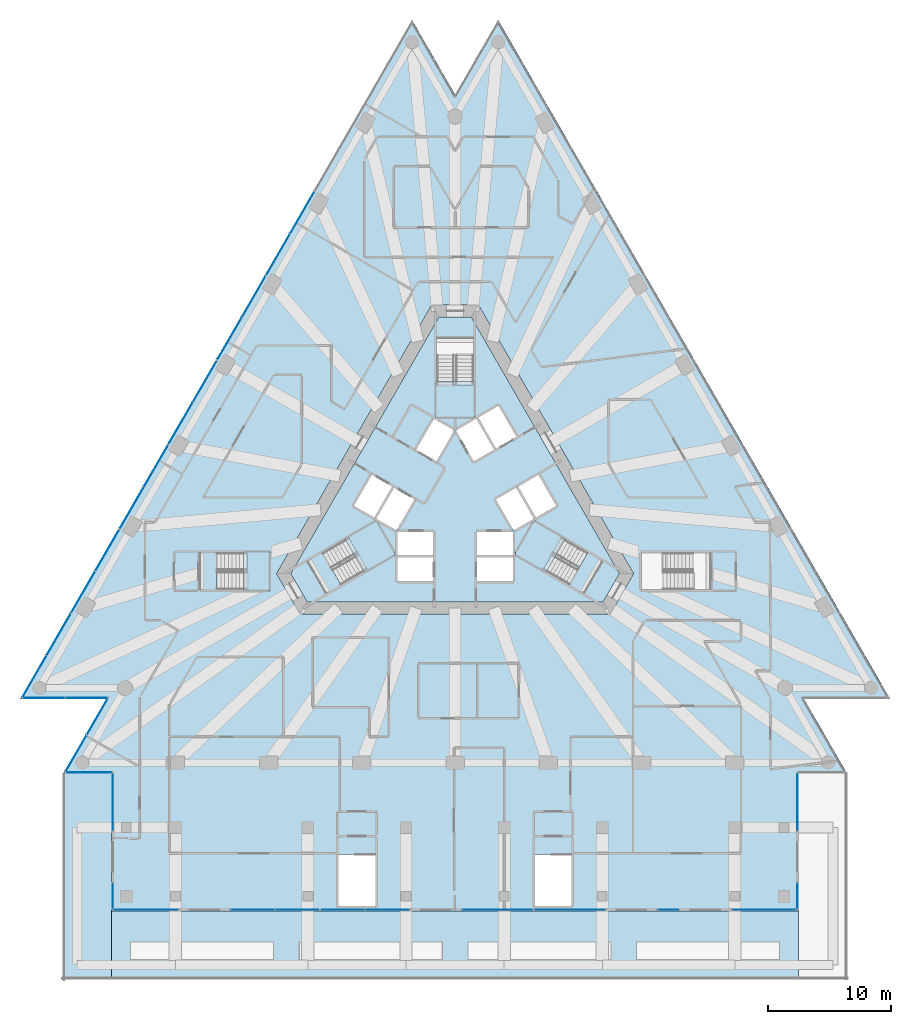
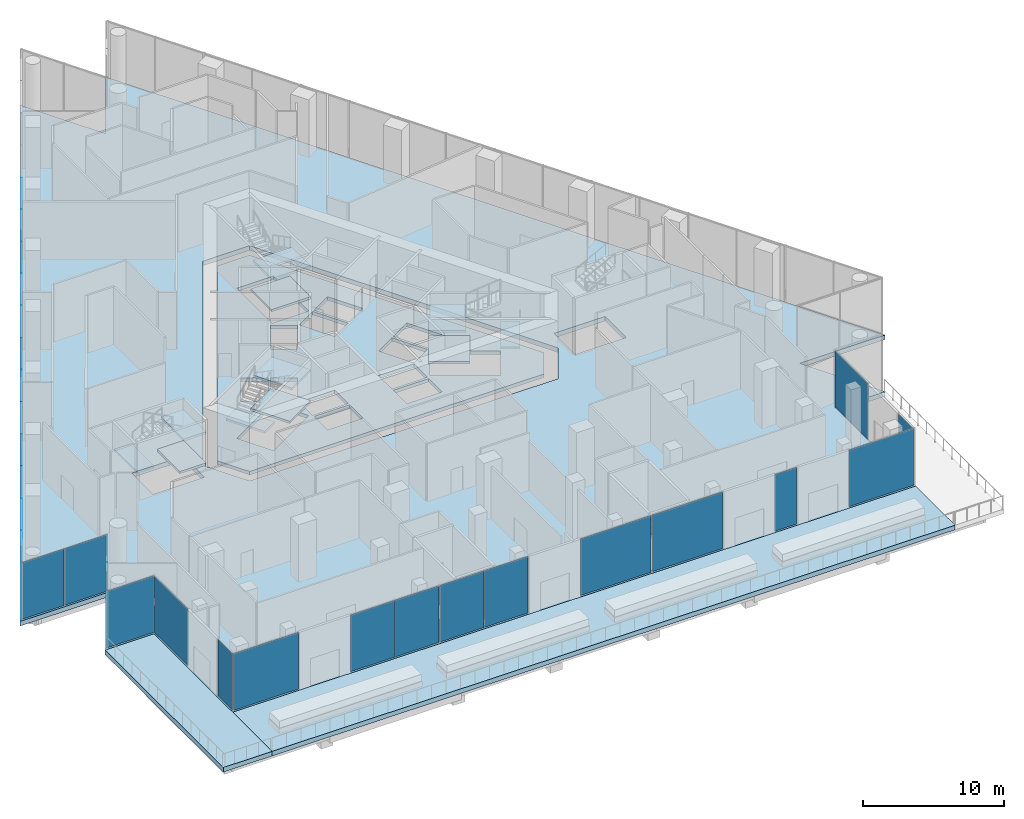
# One storey, part 19 of 29: 30 plates, 15 slabs, 24 elements without a shape of their own.
"""IFC4 building model written with IfcOpenShell, lengths in metres."""

from ifc_helpers import new_model, si_unit, direction, frame, origin, origin_2d, place, context, subcontext, project, spatial, polyline, rectangle, outline, extrude, material, layer, layer_set, layer_usage, type_object, element, aggregate, save


model = new_model("IFC4")

# Units and contexts
model_context = context("Model", 3, precision=1e-05, world=origin(), true_north=direction((0.0, 1.0)))
body_context = subcontext(model_context, "Body", "Model", "MODEL_VIEW")
ifc_project = project(units=[si_unit("LENGTHUNIT", "METRE"), si_unit("AREAUNIT", "SQUARE_METRE"), si_unit("VOLUMEUNIT", "CUBIC_METRE"), si_unit("PLANEANGLEUNIT", "RADIAN"), si_unit("MASSUNIT", "GRAM", prefix="KILO")], contexts=[model_context])

# Site, building, storey
site_placement = place(None, origin())
site = spatial("IfcSite", under=ifc_project, at=site_placement, CompositionType="ELEMENT")
building_placement = place(site_placement, origin())
building = spatial("IfcBuilding", under=site, at=building_placement, Name="Triada Interchange Tower", CompositionType="ELEMENT")
storey_placement = place(building_placement, frame((0.0, 0.0, 19.89990234375)))
storey = spatial("IfcBuildingStorey", under=building, at=storey_placement, Name="L03", CompositionType="ELEMENT", Elevation=19.89990234375)

# Slab
ifc_material_1 = material(Name="Concrete C50/60", Category="concrete")
ifc_layer_1 = layer(ifc_material_1, 0.300048828125)
ifc_layer_set_1 = layer_set([ifc_layer_1], Name="Floor slab 300")
slab_type_1 = type_object("IfcSlabType", Name="Floor slab 300", PredefinedType="FLOOR", material=ifc_layer_set_1)
slab_1_placement = place(storey_placement, frame((0.0, 0.0, -0.2998046875)))
element("IfcSlab", 1, at=slab_1_placement, inside=storey, type_object=slab_type_1, Name="Core floor slab L03 1", PredefinedType="FLOOR", context=body_context, shape_type="SweptSolid", body=[
    extrude(outline(polyline([(13.39501953125, -6.199951171875), (12.06689453125, -8.5), (-12.06689453125, -8.5), (-13.39501953125, -6.199951171875), (-1.327880859375, 14.699951171875), (1.327880859375, 14.699951171875), (13.39501953125, -6.199951171875)]), holes=[polyline([(9.2958984375, -7.09912109375), (10.7958984375, -4.5009765625), (6.466064453125, -2.0009765625), (4.966064453125, -4.59912109375), (9.2958984375, -7.09912109375)]), polyline([(6.7890625, 1.841064453125), (5.14404296875, 0.89111328125), (6.593994140625, -1.6201171875), (8.239013671875, -0.669921875), (6.7890625, 1.841064453125)]), polyline([(4.969970703125, 0.791015625), (3.324951171875, -0.158935546875), (4.77490234375, -2.669921875), (6.419921875, -1.719970703125), (4.969970703125, 0.791015625)]), polyline([(1.89404296875, 6.52001953125), (3.343994140625, 4.009033203125), (4.989013671875, 4.958984375), (3.5390625, 7.469970703125), (1.89404296875, 6.52001953125)]), polyline([(1.800048828125, -4.89990234375), (1.800048828125, -6.800048828125), (4.699951171875, -6.800048828125), (4.699951171875, -4.89990234375), (1.800048828125, -4.89990234375)]), polyline([(1.800048828125, -2.800048828125), (1.800048828125, -4.10107421875), (1.800048828125, -4.699951171875), (4.699951171875, -4.699951171875), (4.699951171875, -2.800048828125), (1.800048828125, -2.800048828125)]), polyline([(1.52490234375, 2.958984375), (1.708984375, 3.06494140625), (3.169921875, 3.908935546875), (1.719970703125, 6.419921875), (0.074951171875, 5.469970703125), (1.52490234375, 2.958984375)]), polyline([(1.5, 11.60009765625), (-1.5, 11.60009765625), (-1.5, 6.60009765625), (1.5, 6.60009765625), (1.5, 11.60009765625)]), polyline([(-1.52490234375, 2.958984375), (-0.074951171875, 5.469970703125), (-1.719970703125, 6.419921875), (-3.169921875, 3.908935546875), (-1.52490234375, 2.958984375)]), polyline([(-4.699951171875, -2.800048828125), (-4.699951171875, -4.699951171875), (-1.800048828125, -4.699951171875), (-1.800048828125, -4.10107421875), (-1.800048828125, -2.800048828125), (-4.699951171875, -2.800048828125)]), polyline([(-4.699951171875, -4.89990234375), (-4.699951171875, -6.800048828125), (-1.800048828125, -6.800048828125), (-1.800048828125, -4.89990234375), (-4.699951171875, -4.89990234375)]), polyline([(-3.324951171875, -0.158935546875), (-3.450927734375, -0.0859375), (-4.969970703125, 0.791015625), (-6.419921875, -1.719970703125), (-4.77490234375, -2.669921875), (-3.324951171875, -0.158935546875)]), polyline([(-10.7958984375, -4.5009765625), (-9.2958984375, -7.09912109375), (-4.966064453125, -4.59912109375), (-6.466064453125, -2.0009765625), (-10.7958984375, -4.5009765625)]), polyline([(-6.593994140625, -1.6201171875), (-5.14404296875, 0.89111328125), (-6.7890625, 1.841064453125), (-8.239013671875, -0.669921875), (-6.593994140625, -1.6201171875)])]), origin(), (0.0, 0.0, 1.0), 0.2998046875),
])

# Curtain wall, plate
ifc_material_2 = material(Name="Aluminium framed glazing", Category="aluminium")
ifc_layer_2 = layer(ifc_material_2, 0.199951171875)
ifc_layer_set_2 = layer_set([ifc_layer_2], Name="Curtain wall Retail shopfront")
curtain_wall_type = type_object("IfcCurtainWallType", Name="Curtain wall Retail shopfront", PredefinedType="NOTDEFINED", material=ifc_layer_set_2)
curtain_wall_1_placement = place(storey_placement, origin())
curtain_wall_1 = element("IfcCurtainWall", 2, at=curtain_wall_1_placement, inside=storey, type_object=curtain_wall_type, Name="Retail shopfront CW001 L03", PredefinedType="NOTDEFINED")
ifc_material_3 = material(Name="Insulated glazing unit", Category="glass")
ifc_layer_3 = layer(ifc_material_3, 0.028076171875)
ifc_layer_set_3 = layer_set([ifc_layer_3], Name="Glazing panel Retail shopfront 28")
plate_type = type_object("IfcPlateType", Name="Glazing panel Retail shopfront 28", PredefinedType="CURTAIN_PANEL", material=ifc_layer_set_3)
plate_1_placement = place(storey_placement, frame((-25.21240234375, -33.60009765625, 0.050048828125), z_axis=(0.0, 0.0, 1.0), x_axis=(1.0, 0.0, 0.0)))
plate_1 = element("IfcPlate", 3, at=plate_1_placement, type_object=plate_type, Name="CW001 panel 1.1", PredefinedType="CURTAIN_PANEL", context=body_context, shape_type="SweptSolid", body=[
    extrude(rectangle(XDim=5.27490234375, YDim=0.028076171875, at=origin_2d()), origin(), (0.0, 0.0, 1.0), 4.89990234375),
])
aggregate(curtain_wall_1, [plate_1])

# Curtain wall, plates
curtain_wall_2_placement = place(storey_placement, origin())
curtain_wall_2 = element("IfcCurtainWall", 4, at=curtain_wall_2_placement, inside=storey, type_object=curtain_wall_type, Name="Retail shopfront CW002 L03", PredefinedType="NOTDEFINED")
plate_2_placement = place(storey_placement, frame((-16.482421875, -33.60009765625, 0.050048828125), z_axis=(0.0, 0.0, 1.0), x_axis=(1.0, 0.0, 0.0)))
plate_2 = element("IfcPlate", 5, at=plate_2_placement, type_object=plate_type, Name="CW002 panel 1.1", PredefinedType="CURTAIN_PANEL", context=body_context, shape_type="SweptSolid", body=[
    extrude(rectangle(XDim=3.5849609375, YDim=0.028076171875, at=origin_2d()), origin(), (0.0, 0.0, 1.0), 4.89990234375),
])
plate_3_placement = place(storey_placement, frame((-12.847412109375, -33.60009765625, 0.050048828125), z_axis=(0.0, 0.0, 1.0), x_axis=(1.0, 0.0, 0.0)))
plate_3 = element("IfcPlate", 6, at=plate_3_placement, type_object=plate_type, Name="CW002 panel 2.1", PredefinedType="CURTAIN_PANEL", context=body_context, shape_type="SweptSolid", body=[
    extrude(rectangle(XDim=3.5849609375, YDim=0.028076171875, at=origin_2d()), origin(), (0.0, 0.0, 1.0), 4.89990234375),
])
aggregate(curtain_wall_2, [plate_2, plate_3])

curtain_wall_3_placement = place(storey_placement, origin())
curtain_wall_3 = element("IfcCurtainWall", 7, at=curtain_wall_3_placement, inside=storey, type_object=curtain_wall_type, Name="Retail shopfront CW003 L03", PredefinedType="NOTDEFINED")
plate_4_placement = place(storey_placement, frame((-9.152587890625, -33.60009765625, 0.050048828125), z_axis=(0.0, 0.0, 1.0), x_axis=(1.0, 0.0, 0.0)))
plate_4 = element("IfcPlate", 8, at=plate_4_placement, type_object=plate_type, Name="CW003 panel 1.1", PredefinedType="CURTAIN_PANEL", context=body_context, shape_type="SweptSolid", body=[
    extrude(rectangle(XDim=3.5849609375, YDim=0.028076171875, at=origin_2d()), origin(), (0.0, 0.0, 1.0), 4.89990234375),
])
plate_5_placement = place(storey_placement, frame((-5.517578125, -33.60009765625, 0.050048828125), z_axis=(0.0, 0.0, 1.0), x_axis=(1.0, 0.0, 0.0)))
plate_5 = element("IfcPlate", 9, at=plate_5_placement, type_object=plate_type, Name="CW003 panel 2.1", PredefinedType="CURTAIN_PANEL", context=body_context, shape_type="SweptSolid", body=[
    extrude(rectangle(XDim=3.5849609375, YDim=0.028076171875, at=origin_2d()), origin(), (0.0, 0.0, 1.0), 4.89990234375),
])
aggregate(curtain_wall_3, [plate_4, plate_5])

# Curtain wall, plate
curtain_wall_4_placement = place(storey_placement, origin())
curtain_wall_4 = element("IfcCurtainWall", 10, at=curtain_wall_4_placement, inside=storey, type_object=curtain_wall_type, Name="Retail shopfront CW004 L03", PredefinedType="NOTDEFINED")
plate_6_placement = place(storey_placement, frame((3.4599609375, -33.60009765625, 0.050048828125), z_axis=(0.0, 0.0, 1.0), x_axis=(1.0, 0.0, 0.0)))
plate_6 = element("IfcPlate", 11, at=plate_6_placement, type_object=plate_type, Name="CW004 panel 1.1", PredefinedType="CURTAIN_PANEL", context=body_context, shape_type="SweptSolid", body=[
    extrude(rectangle(XDim=5.77001953125, YDim=0.028076171875, at=origin_2d()), origin(), (0.0, 0.0, 1.0), 4.89990234375),
])
aggregate(curtain_wall_4, [plate_6])

curtain_wall_5_placement = place(storey_placement, origin())
curtain_wall_5 = element("IfcCurtainWall", 12, at=curtain_wall_5_placement, inside=storey, type_object=curtain_wall_type, Name="Retail shopfront CW005 L03", PredefinedType="NOTDEFINED")
plate_7_placement = place(storey_placement, frame((9.340087890625, -33.60009765625, 0.050048828125), z_axis=(0.0, 0.0, 1.0), x_axis=(1.0, 0.0, 0.0)))
plate_7 = element("IfcPlate", 13, at=plate_7_placement, type_object=plate_type, Name="CW005 panel 1.1", PredefinedType="CURTAIN_PANEL", context=body_context, shape_type="SweptSolid", body=[
    extrude(rectangle(XDim=5.77001953125, YDim=0.028076171875, at=origin_2d()), origin(), (0.0, 0.0, 1.0), 4.89990234375),
])
aggregate(curtain_wall_5, [plate_7])

curtain_wall_6_placement = place(storey_placement, origin())
curtain_wall_6 = element("IfcCurtainWall", 14, at=curtain_wall_6_placement, inside=storey, type_object=curtain_wall_type, Name="Retail shopfront CW006 L03", PredefinedType="NOTDEFINED")
plate_8_placement = place(storey_placement, frame((17.39990234375, -33.60009765625, 0.050048828125), z_axis=(0.0, 0.0, 1.0), x_axis=(1.0, 0.0, 0.0)))
plate_8 = element("IfcPlate", 15, at=plate_8_placement, type_object=plate_type, Name="CW006 panel 1.1", PredefinedType="CURTAIN_PANEL", context=body_context, shape_type="SweptSolid", body=[
    extrude(rectangle(XDim=1.75, YDim=0.028076171875, at=origin_2d()), origin(), (0.0, 0.0, 1.0), 4.89990234375),
])
aggregate(curtain_wall_6, [plate_8])

curtain_wall_7_placement = place(storey_placement, origin())
curtain_wall_7 = element("IfcCurtainWall", 16, at=curtain_wall_7_placement, inside=storey, type_object=curtain_wall_type, Name="Retail shopfront CW007 L03", PredefinedType="NOTDEFINED")
plate_9_placement = place(storey_placement, frame((25.21240234375, -33.60009765625, 0.050048828125), z_axis=(0.0, 0.0, 1.0), x_axis=(1.0, 0.0, 0.0)))
plate_9 = element("IfcPlate", 17, at=plate_9_placement, type_object=plate_type, Name="CW007 panel 1.1", PredefinedType="CURTAIN_PANEL", context=body_context, shape_type="SweptSolid", body=[
    extrude(rectangle(XDim=5.27490234375, YDim=0.028076171875, at=origin_2d()), origin(), (0.0, 0.0, 1.0), 4.89990234375),
])
aggregate(curtain_wall_7, [plate_9])

curtain_wall_8_placement = place(storey_placement, origin())
curtain_wall_8 = element("IfcCurtainWall", 18, at=curtain_wall_8_placement, inside=storey, type_object=curtain_wall_type, Name="Retail shopfront CW008 L03", PredefinedType="NOTDEFINED")
plate_10_placement = place(storey_placement, frame((27.89990234375, -32.5, 0.050048828125), z_axis=(0.0, 0.0, 1.0), x_axis=(0.0, 1.0, 0.0)))
plate_10 = element("IfcPlate", 19, at=plate_10_placement, type_object=plate_type, Name="CW008 panel 1.1", PredefinedType="CURTAIN_PANEL", context=body_context, shape_type="SweptSolid", body=[
    extrude(rectangle(XDim=2.10009765625, YDim=0.028076171875, at=origin_2d()), origin(), (0.0, 0.0, 1.0), 4.89990234375),
])
aggregate(curtain_wall_8, [plate_10])

curtain_wall_9_placement = place(storey_placement, origin())
curtain_wall_9 = element("IfcCurtainWall", 20, at=curtain_wall_9_placement, inside=storey, type_object=curtain_wall_type, Name="Retail shopfront CW009 L03", PredefinedType="NOTDEFINED")
plate_11_placement = place(storey_placement, frame((27.89990234375, -24.800048828125, 0.050048828125), z_axis=(0.0, 0.0, 1.0), x_axis=(0.0, 1.0, 0.0)))
plate_11 = element("IfcPlate", 21, at=plate_11_placement, type_object=plate_type, Name="CW009 panel 1.1", PredefinedType="CURTAIN_PANEL", context=body_context, shape_type="SweptSolid", body=[
    extrude(rectangle(XDim=4.699951171875, YDim=0.028076171875, at=origin_2d()), origin(), (0.0, 0.0, 1.0), 4.89990234375),
])
aggregate(curtain_wall_9, [plate_11])

# Curtain wall, plates
curtain_wall_10_placement = place(storey_placement, origin())
curtain_wall_10 = element("IfcCurtainWall", 22, at=curtain_wall_10_placement, inside=storey, type_object=curtain_wall_type, Name="Retail shopfront CW025 L03", PredefinedType="NOTDEFINED")
plate_12_placement = place(storey_placement, frame((-12.4541015625, 23.229248046875, 0.050048828125), z_axis=(0.0, 0.0, 1.0), x_axis=(-0.499947913852, -0.866055473648, 0.0)))
plate_12 = element("IfcPlate", 23, at=plate_12_placement, type_object=plate_type, Name="CW025 panel 1.1", PredefinedType="CURTAIN_PANEL", context=body_context, shape_type="SweptSolid", body=[
    extrude(rectangle(XDim=3.892333984375, YDim=0.028076171875, at=origin_2d()), origin(), (0.0, 0.0, 1.0), 4.89990234375),
])
plate_13_placement = place(storey_placement, frame((-14.425048828125, 19.81494140625, 0.050048828125), z_axis=(0.0, 0.0, 1.0), x_axis=(-0.499947913852, -0.866055473648, 0.0)))
plate_13 = element("IfcPlate", 24, at=plate_13_placement, type_object=plate_type, Name="CW025 panel 2.1", PredefinedType="CURTAIN_PANEL", context=body_context, shape_type="SweptSolid", body=[
    extrude(rectangle(XDim=3.892333984375, YDim=0.028076171875, at=origin_2d()), origin(), (0.0, 0.0, 1.0), 4.89990234375),
])
aggregate(curtain_wall_10, [plate_12, plate_13])

curtain_wall_11_placement = place(storey_placement, origin())
curtain_wall_11 = element("IfcCurtainWall", 25, at=curtain_wall_11_placement, inside=storey, type_object=curtain_wall_type, Name="Retail shopfront CW026 L03", PredefinedType="NOTDEFINED")
plate_14_placement = place(storey_placement, frame((-16.427001953125, 16.347900390625, 0.050048828125), z_axis=(0.0, 0.0, 1.0), x_axis=(-0.499893351442, -0.866086968603, 0.0)))
plate_14 = element("IfcPlate", 26, at=plate_14_placement, type_object=plate_type, Name="CW026 panel 1.1", PredefinedType="CURTAIN_PANEL", context=body_context, shape_type="SweptSolid", body=[
    extrude(rectangle(XDim=3.892822265625, YDim=0.028076171875, at=origin_2d()), origin(), (0.0, 0.0, 1.0), 4.89990234375),
])
plate_15_placement = place(storey_placement, frame((-18.39794921875, 12.93310546875, 0.050048828125), z_axis=(0.0, 0.0, 1.0), x_axis=(-0.499893351442, -0.866086968603, 0.0)))
plate_15 = element("IfcPlate", 27, at=plate_15_placement, type_object=plate_type, Name="CW026 panel 2.1", PredefinedType="CURTAIN_PANEL", context=body_context, shape_type="SweptSolid", body=[
    extrude(rectangle(XDim=3.892822265625, YDim=0.028076171875, at=origin_2d()), origin(), (0.0, 0.0, 1.0), 4.89990234375),
])
aggregate(curtain_wall_11, [plate_14, plate_15])

curtain_wall_12_placement = place(storey_placement, origin())
curtain_wall_12 = element("IfcCurtainWall", 28, at=curtain_wall_12_placement, inside=storey, type_object=curtain_wall_type, Name="Retail shopfront CW027 L03", PredefinedType="NOTDEFINED")
plate_16_placement = place(storey_placement, frame((-20.39990234375, 9.467041015625, 0.050048828125), z_axis=(0.0, 0.0, 1.0), x_axis=(-0.499893351442, -0.866086968603, 0.0)))
plate_16 = element("IfcPlate", 29, at=plate_16_placement, type_object=plate_type, Name="CW027 panel 1.1", PredefinedType="CURTAIN_PANEL", context=body_context, shape_type="SweptSolid", body=[
    extrude(rectangle(XDim=3.892822265625, YDim=0.028076171875, at=origin_2d()), origin(), (0.0, 0.0, 1.0), 4.89990234375),
])
plate_17_placement = place(storey_placement, frame((-22.37109375, 6.052001953125, 0.050048828125), z_axis=(0.0, 0.0, 1.0), x_axis=(-0.499893351442, -0.866086968603, 0.0)))
plate_17 = element("IfcPlate", 30, at=plate_17_placement, type_object=plate_type, Name="CW027 panel 2.1", PredefinedType="CURTAIN_PANEL", context=body_context, shape_type="SweptSolid", body=[
    extrude(rectangle(XDim=3.892822265625, YDim=0.028076171875, at=origin_2d()), origin(), (0.0, 0.0, 1.0), 4.89990234375),
])
aggregate(curtain_wall_12, [plate_16, plate_17])

curtain_wall_13_placement = place(storey_placement, origin())
curtain_wall_13 = element("IfcCurtainWall", 31, at=curtain_wall_13_placement, inside=storey, type_object=curtain_wall_type, Name="Retail shopfront CW028 L03", PredefinedType="NOTDEFINED")
plate_18_placement = place(storey_placement, frame((-24.373046875, 2.585205078125, 0.050048828125), z_axis=(0.0, 0.0, 1.0), x_axis=(-0.499947913852, -0.866055473648, 0.0)))
plate_18 = element("IfcPlate", 32, at=plate_18_placement, type_object=plate_type, Name="CW028 panel 1.1", PredefinedType="CURTAIN_PANEL", context=body_context, shape_type="SweptSolid", body=[
    extrude(rectangle(XDim=3.892333984375, YDim=0.028076171875, at=origin_2d()), origin(), (0.0, 0.0, 1.0), 4.89990234375),
])
plate_19_placement = place(storey_placement, frame((-26.343994140625, -0.8291015625, 0.050048828125), z_axis=(0.0, 0.0, 1.0), x_axis=(-0.499947913852, -0.866055473648, 0.0)))
plate_19 = element("IfcPlate", 33, at=plate_19_placement, type_object=plate_type, Name="CW028 panel 2.1", PredefinedType="CURTAIN_PANEL", context=body_context, shape_type="SweptSolid", body=[
    extrude(rectangle(XDim=3.892333984375, YDim=0.028076171875, at=origin_2d()), origin(), (0.0, 0.0, 1.0), 4.89990234375),
])
aggregate(curtain_wall_13, [plate_18, plate_19])

curtain_wall_14_placement = place(storey_placement, origin())
curtain_wall_14 = element("IfcCurtainWall", 34, at=curtain_wall_14_placement, inside=storey, type_object=curtain_wall_type, Name="Retail shopfront CW029 L03", PredefinedType="NOTDEFINED")
plate_20_placement = place(storey_placement, frame((-28.345947265625, -4.2958984375, 0.050048828125), z_axis=(0.0, 0.0, 1.0), x_axis=(-0.499947913852, -0.866055473648, 0.0)))
plate_20 = element("IfcPlate", 35, at=plate_20_placement, type_object=plate_type, Name="CW029 panel 1.1", PredefinedType="CURTAIN_PANEL", context=body_context, shape_type="SweptSolid", body=[
    extrude(rectangle(XDim=3.892333984375, YDim=0.028076171875, at=origin_2d()), origin(), (0.0, 0.0, 1.0), 4.89990234375),
])
plate_21_placement = place(storey_placement, frame((-30.31689453125, -7.710205078125, 0.050048828125), z_axis=(0.0, 0.0, 1.0), x_axis=(-0.499947913852, -0.866055473648, 0.0)))
plate_21 = element("IfcPlate", 36, at=plate_21_placement, type_object=plate_type, Name="CW029 panel 2.1", PredefinedType="CURTAIN_PANEL", context=body_context, shape_type="SweptSolid", body=[
    extrude(rectangle(XDim=3.892333984375, YDim=0.028076171875, at=origin_2d()), origin(), (0.0, 0.0, 1.0), 4.89990234375),
])
aggregate(curtain_wall_14, [plate_20, plate_21])

curtain_wall_15_placement = place(storey_placement, origin())
curtain_wall_15 = element("IfcCurtainWall", 37, at=curtain_wall_15_placement, inside=storey, type_object=curtain_wall_type, Name="Retail shopfront CW030 L03", PredefinedType="NOTDEFINED")
plate_22_placement = place(storey_placement, frame((-32.31982421875, -11.177978515625, 0.050048828125), z_axis=(0.0, 0.0, 1.0), x_axis=(-0.499958648825, -0.86604927658, 0.0)))
plate_22 = element("IfcPlate", 38, at=plate_22_placement, type_object=plate_type, Name="CW030 panel 1.1", PredefinedType="CURTAIN_PANEL", context=body_context, shape_type="SweptSolid", body=[
    extrude(rectangle(XDim=3.895263671875, YDim=0.028076171875, at=origin_2d()), origin(), (0.0, 0.0, 1.0), 4.89990234375),
])
plate_23_placement = place(storey_placement, frame((-34.292236328125, -14.594970703125, 0.050048828125), z_axis=(0.0, 0.0, 1.0), x_axis=(-0.499958648825, -0.86604927658, 0.0)))
plate_23 = element("IfcPlate", 39, at=plate_23_placement, type_object=plate_type, Name="CW030 panel 2.1", PredefinedType="CURTAIN_PANEL", context=body_context, shape_type="SweptSolid", body=[
    extrude(rectangle(XDim=3.895263671875, YDim=0.028076171875, at=origin_2d()), origin(), (0.0, 0.0, 1.0), 4.89990234375),
])
aggregate(curtain_wall_15, [plate_22, plate_23])

curtain_wall_16_placement = place(storey_placement, origin())
curtain_wall_16 = element("IfcCurtainWall", 40, at=curtain_wall_16_placement, inside=storey, type_object=curtain_wall_type, Name="Retail shopfront CW031 L03", PredefinedType="NOTDEFINED")
plate_24_placement = place(storey_placement, frame((-33.524658203125, -16.324951171875, 0.050048828125), z_axis=(0.0, 0.0, 1.0), x_axis=(1.0, 0.0, 0.0)))
plate_24 = element("IfcPlate", 41, at=plate_24_placement, type_object=plate_type, Name="CW031 panel 1.1", PredefinedType="CURTAIN_PANEL", context=body_context, shape_type="SweptSolid", body=[
    extrude(rectangle(XDim=3.4326171875, YDim=0.028076171875, at=origin_2d()), origin(), (0.0, 0.0, 1.0), 4.89990234375),
])
plate_25_placement = place(storey_placement, frame((-30.042236328125, -16.324951171875, 0.050048828125), z_axis=(0.0, 0.0, 1.0), x_axis=(1.0, 0.0, 0.0)))
plate_25 = element("IfcPlate", 42, at=plate_25_placement, type_object=plate_type, Name="CW031 panel 2.1", PredefinedType="CURTAIN_PANEL", context=body_context, shape_type="SweptSolid", body=[
    extrude(rectangle(XDim=3.4326171875, YDim=0.028076171875, at=origin_2d()), origin(), (0.0, 0.0, 1.0), 4.89990234375),
])
aggregate(curtain_wall_16, [plate_24, plate_25])

curtain_wall_17_placement = place(storey_placement, origin())
curtain_wall_17 = element("IfcCurtainWall", 43, at=curtain_wall_17_placement, inside=storey, type_object=curtain_wall_type, Name="Retail shopfront CW032 L03", PredefinedType="NOTDEFINED")
plate_26_placement = place(storey_placement, frame((-29.158935546875, -17.8544921875, 0.050048828125), z_axis=(0.0, 0.0, 1.0), x_axis=(-0.499956922962, -0.866050272896, 0.0)))
plate_26 = element("IfcPlate", 44, at=plate_26_placement, type_object=plate_type, Name="CW032 panel 1.1", PredefinedType="CURTAIN_PANEL", context=body_context, shape_type="SweptSolid", body=[
    extrude(rectangle(XDim=3.432373046875, YDim=0.028076171875, at=origin_2d()), origin(), (0.0, 0.0, 1.0), 4.89990234375),
])
plate_27_placement = place(storey_placement, frame((-30.89990234375, -20.870361328125, 0.050048828125), z_axis=(0.0, 0.0, 1.0), x_axis=(-0.499956922962, -0.866050272896, 0.0)))
plate_27 = element("IfcPlate", 45, at=plate_27_placement, type_object=plate_type, Name="CW032 panel 2.1", PredefinedType="CURTAIN_PANEL", context=body_context, shape_type="SweptSolid", body=[
    extrude(rectangle(XDim=3.432373046875, YDim=0.028076171875, at=origin_2d()), origin(), (0.0, 0.0, 1.0), 4.89990234375),
])
aggregate(curtain_wall_17, [plate_26, plate_27])

# Curtain wall, plate
curtain_wall_18_placement = place(storey_placement, origin())
curtain_wall_18 = element("IfcCurtainWall", 46, at=curtain_wall_18_placement, inside=storey, type_object=curtain_wall_type, Name="Retail shopfront CW033 L03", PredefinedType="NOTDEFINED")
plate_28_placement = place(storey_placement, frame((-29.841552734375, -22.39990234375, 0.050048828125), z_axis=(0.0, 0.0, 1.0), x_axis=(1.0, 0.0, 0.0)))
plate_28 = element("IfcPlate", 47, at=plate_28_placement, type_object=plate_type, Name="CW033 panel 1.1", PredefinedType="CURTAIN_PANEL", context=body_context, shape_type="SweptSolid", body=[
    extrude(rectangle(XDim=3.782958984375, YDim=0.028076171875, at=origin_2d()), origin(), (0.0, 0.0, 1.0), 4.89990234375),
])
aggregate(curtain_wall_18, [plate_28])

curtain_wall_19_placement = place(storey_placement, origin())
curtain_wall_19 = element("IfcCurtainWall", 48, at=curtain_wall_19_placement, inside=storey, type_object=curtain_wall_type, Name="Retail shopfront CW034 L03", PredefinedType="NOTDEFINED")
plate_29_placement = place(storey_placement, frame((-27.89990234375, -24.800048828125, 0.050048828125), z_axis=(0.0, 0.0, 1.0), x_axis=(0.0, -1.0, 0.0)))
plate_29 = element("IfcPlate", 49, at=plate_29_placement, type_object=plate_type, Name="CW034 panel 1.1", PredefinedType="CURTAIN_PANEL", context=body_context, shape_type="SweptSolid", body=[
    extrude(rectangle(XDim=4.699951171875, YDim=0.028076171875, at=origin_2d()), origin(), (0.0, 0.0, 1.0), 4.89990234375),
])
aggregate(curtain_wall_19, [plate_29])

curtain_wall_20_placement = place(storey_placement, origin())
curtain_wall_20 = element("IfcCurtainWall", 50, at=curtain_wall_20_placement, inside=storey, type_object=curtain_wall_type, Name="Retail shopfront CW035 L03", PredefinedType="NOTDEFINED")
plate_30_placement = place(storey_placement, frame((-27.89990234375, -32.5, 0.050048828125), z_axis=(0.0, 0.0, 1.0), x_axis=(0.0, -1.0, 0.0)))
plate_30 = element("IfcPlate", 51, at=plate_30_placement, type_object=plate_type, Name="CW035 panel 1.1", PredefinedType="CURTAIN_PANEL", context=body_context, shape_type="SweptSolid", body=[
    extrude(rectangle(XDim=2.10009765625, YDim=0.028076171875, at=origin_2d()), origin(), (0.0, 0.0, 1.0), 4.89990234375),
])
aggregate(curtain_wall_20, [plate_30])

# Slab
ifc_material_4 = material(Name="Concrete C40/50", Category="concrete")
ifc_layer_4 = layer(ifc_material_4, 0.39990234375)
ifc_layer_set_4 = layer_set([ifc_layer_4], Name="Podium slab 400")
slab_type_2 = type_object("IfcSlabType", Name="Podium slab 400", PredefinedType="FLOOR", material=ifc_layer_set_4)
slab_2_placement = place(storey_placement, frame((0.0, 0.0, -0.39990234375)))
element("IfcSlab", 52, at=slab_2_placement, inside=storey, type_object=slab_type_2, Name="Floor slab L03", PredefinedType="FLOOR", context=body_context, shape_type="SweptSolid", body=[
    extrude(outline(polyline([(-28.0, -33.699951171875), (28.0, -33.699951171875), (28.0, -22.5), (31.9560546875, -22.5), (28.448974609375, -16.425048828125), (35.464111328125, -16.425048828125), (3.507080078125, 38.925048828125), (0.0, 32.85009765625), (-3.507080078125, 38.925048828125), (-35.464111328125, -16.425048828125), (-28.448974609375, -16.425048828125), (-31.9560546875, -22.5), (-28.0, -22.5), (-28.0, -33.699951171875)]), holes=[polyline([(-9.5, -29.10009765625), (-6.5, -29.10009765625), (-6.5, -33.300048828125), (-9.5, -33.300048828125), (-9.5, -29.10009765625)]), polyline([(6.5, -29.10009765625), (9.5, -29.10009765625), (9.5, -33.300048828125), (6.5, -33.300048828125), (6.5, -29.10009765625)]), polyline([(-19.39990234375, -7.5), (-19.39990234375, -4.5), (-15.199951171875, -4.5), (-15.199951171875, -7.5), (-19.39990234375, -7.5)]), polyline([(19.39990234375, -7.5), (15.199951171875, -7.5), (15.199951171875, -4.5), (19.39990234375, -4.5), (19.39990234375, -7.5)]), polyline([(-12.64404296875, -9.5), (-14.549072265625, -6.199951171875), (-1.905029296875, 15.699951171875), (1.905029296875, 15.699951171875), (14.549072265625, -6.199951171875), (12.64404296875, -9.5), (-12.64404296875, -9.5)])]), origin(), (0.0, 0.0, 1.0), 0.39990234375),
])

# Stair, slabs
ifc_material_5 = material(Name="Concrete C35/45", Category="concrete")
stair_type = type_object("IfcStairType", Name="HALF TURN STAIR 1400", PredefinedType="HALF_TURN_STAIR", material=ifc_material_5)
stair_1_placement = place(storey_placement, origin())
stair_1 = element("IfcStair", 53, at=stair_1_placement, inside=storey, type_object=stair_type, Name="Exit stair S03-1", PredefinedType="HALF_TURN_STAIR")
ifc_layer_5 = layer(ifc_material_5, 0.199951171875)
ifc_layer_set_5 = layer_set([ifc_layer_5], Name="STAIR LANDING 200")
slab_type_3 = type_object("IfcSlabType", Name="STAIR LANDING 200", PredefinedType="LANDING", material=ifc_layer_set_5)
slab_3_placement = place(storey_placement, frame((0.0, 0.0, 1.07080078125)))
slab_3 = element("IfcSlab", 54, at=slab_3_placement, type_object=slab_type_3, Name="S03-1 landing 1", PredefinedType="LANDING", context=body_context, shape_type="SweptSolid", body=[
    extrude(outline(polyline([(1.60009765625, 6.5), (1.60009765625, 9.465087890625), (-1.60009765625, 9.465087890625), (-1.60009765625, 6.5), (1.60009765625, 6.5)])), origin(), (0.0, 0.0, 1.0), 0.199951171875),
])
slab_4_placement = place(storey_placement, frame((0.0, 0.0, 3.7705078125)))
slab_4 = element("IfcSlab", 55, at=slab_4_placement, type_object=slab_type_3, Name="S03-1 landing 2", PredefinedType="LANDING", context=body_context, shape_type="SweptSolid", body=[
    extrude(outline(polyline([(1.60009765625, 6.5), (1.60009765625, 9.159912109375), (-1.60009765625, 9.159912109375), (-1.60009765625, 6.5), (1.60009765625, 6.5)])), origin(), (0.0, 0.0, 1.0), 0.2001953125),
])
aggregate(stair_1, [slab_3, slab_4])

stair_2_placement = place(storey_placement, origin())
stair_2 = element("IfcStair", 56, at=stair_2_placement, inside=storey, type_object=stair_type, Name="Exit stair S03-2", PredefinedType="HALF_TURN_STAIR")
slab_5_placement = place(storey_placement, frame((0.0, 0.0, 1.07080078125)))
slab_5 = element("IfcSlab", 57, at=slab_5_placement, type_object=slab_type_3, Name="S03-2 landing 1", PredefinedType="LANDING", context=body_context, shape_type="SweptSolid", body=[
    extrude(outline(polyline([(-6.428955078125, -1.864013671875), (-8.9970703125, -3.346923828125), (-7.39697265625, -6.117919921875), (-4.8291015625, -4.635986328125), (-6.428955078125, -1.864013671875)])), origin(), (0.0, 0.0, 1.0), 0.199951171875),
])
slab_6_placement = place(storey_placement, frame((0.0, 0.0, 3.7705078125)))
slab_6 = element("IfcSlab", 58, at=slab_6_placement, type_object=slab_type_3, Name="S03-2 landing 2", PredefinedType="LANDING", context=body_context, shape_type="SweptSolid", body=[
    extrude(outline(polyline([(-6.428955078125, -1.864013671875), (-8.73291015625, -3.194091796875), (-7.133056640625, -5.966064453125), (-4.8291015625, -4.635986328125), (-6.428955078125, -1.864013671875)])), origin(), (0.0, 0.0, 1.0), 0.2001953125),
])
slab_7_placement = place(storey_placement, frame((0.0, 0.0, 2.34130859375)))
slab_7 = element("IfcSlab", 59, at=slab_7_placement, type_object=slab_type_3, Name="S03-2 landing 3", PredefinedType="LANDING", context=body_context, shape_type="SweptSolid", body=[
    extrude(outline(polyline([(-10.845947265625, -4.4140625), (-12.05810546875, -5.114013671875), (-10.4580078125, -7.885986328125), (-9.24609375, -7.18603515625), (-10.845947265625, -4.4140625)])), origin(), (0.0, 0.0, 1.0), 0.199951171875),
])
aggregate(stair_2, [slab_5, slab_6, slab_7])

stair_3_placement = place(storey_placement, origin())
stair_3 = element("IfcStair", 60, at=stair_3_placement, inside=storey, type_object=stair_type, Name="Exit stair S03-3", PredefinedType="HALF_TURN_STAIR")
slab_8_placement = place(storey_placement, frame((0.0, 0.0, 1.07080078125)))
slab_8 = element("IfcSlab", 61, at=slab_8_placement, type_object=slab_type_3, Name="S03-3 landing 1", PredefinedType="LANDING", context=body_context, shape_type="SweptSolid", body=[
    extrude(outline(polyline([(4.8291015625, -4.635986328125), (7.39697265625, -6.117919921875), (8.9970703125, -3.346923828125), (6.428955078125, -1.864013671875), (4.8291015625, -4.635986328125)])), origin(), (0.0, 0.0, 1.0), 0.199951171875),
])
slab_9_placement = place(storey_placement, frame((0.0, 0.0, 3.7705078125)))
slab_9 = element("IfcSlab", 62, at=slab_9_placement, type_object=slab_type_3, Name="S03-3 landing 2", PredefinedType="LANDING", context=body_context, shape_type="SweptSolid", body=[
    extrude(outline(polyline([(4.8291015625, -4.635986328125), (7.133056640625, -5.966064453125), (8.73291015625, -3.194091796875), (6.428955078125, -1.864013671875), (4.8291015625, -4.635986328125)])), origin(), (0.0, 0.0, 1.0), 0.2001953125),
])
slab_10_placement = place(storey_placement, frame((0.0, 0.0, 2.34130859375)))
slab_10 = element("IfcSlab", 63, at=slab_10_placement, type_object=slab_type_3, Name="S03-3 landing 3", PredefinedType="LANDING", context=body_context, shape_type="SweptSolid", body=[
    extrude(outline(polyline([(9.24609375, -7.18603515625), (10.4580078125, -7.885986328125), (12.05810546875, -5.114013671875), (10.845947265625, -4.4140625), (9.24609375, -7.18603515625)])), origin(), (0.0, 0.0, 1.0), 0.199951171875),
])
aggregate(stair_3, [slab_8, slab_9, slab_10])

stair_4_placement = place(storey_placement, origin())
stair_4 = element("IfcStair", 64, at=stair_4_placement, inside=storey, type_object=stair_type, Name="Exit stair S03-6", PredefinedType="HALF_TURN_STAIR")
slab_11_placement = place(storey_placement, frame((0.0, 0.0, 1.07080078125)))
slab_11 = element("IfcSlab", 65, at=slab_11_placement, type_object=slab_type_3, Name="S03-6 landing 1", PredefinedType="LANDING", context=body_context, shape_type="SweptSolid", body=[
    extrude(outline(polyline([(-15.10009765625, -4.39990234375), (-17.264892578125, -4.39990234375), (-17.264892578125, -7.60009765625), (-15.10009765625, -7.60009765625), (-15.10009765625, -4.39990234375)])), origin(), (0.0, 0.0, 1.0), 0.199951171875),
])
slab_12_placement = place(storey_placement, frame((0.0, 0.0, 3.7705078125)))
slab_12 = element("IfcSlab", 66, at=slab_12_placement, type_object=slab_type_3, Name="S03-6 landing 2", PredefinedType="LANDING", context=body_context, shape_type="SweptSolid", body=[
    extrude(outline(polyline([(-15.10009765625, -4.39990234375), (-16.9599609375, -4.39990234375), (-16.9599609375, -7.60009765625), (-15.10009765625, -7.60009765625), (-15.10009765625, -4.39990234375)])), origin(), (0.0, 0.0, 1.0), 0.2001953125),
])
slab_13_placement = place(storey_placement, frame((0.0, 0.0, 2.34130859375)))
slab_13 = element("IfcSlab", 67, at=slab_13_placement, type_object=slab_type_3, Name="S03-6 landing 3", PredefinedType="LANDING", context=body_context, shape_type="SweptSolid", body=[
    extrude(outline(polyline([(-19.39990234375, -4.39990234375), (-20.800048828125, -4.39990234375), (-20.800048828125, -7.60009765625), (-19.39990234375, -7.60009765625), (-19.39990234375, -4.39990234375)])), origin(), (0.0, 0.0, 1.0), 0.199951171875),
])
aggregate(stair_4, [slab_11, slab_12, slab_13])

# Slabs
ifc_material_6 = material(Name="Concrete C30/37 paving slab", Category="concrete")
ifc_layer_6 = layer(ifc_material_6, 0.0400390625, Name="Paving slab")
ifc_material_7 = material(Name="Drainage mat")
ifc_layer_7 = layer(ifc_material_7, 0.02490234375, Name="Drainage layer")
ifc_material_8 = material(Name="Bituminous membrane")
ifc_layer_8 = layer(ifc_material_8, 0.0048828125, Name="Waterproof membrane")
ifc_material_9 = material(Name="Mineral wool")
ifc_layer_9 = layer(ifc_material_9, 0.080078125, Name="Thermal insulation")
ifc_material_10 = material(Name="Screed CT-C25-F4")
ifc_layer_10 = layer(ifc_material_10, 0.050048828125, Name="Screed to falls")
ifc_layer_11 = layer(ifc_material_4, 0.199951171875, Name="Reinforced concrete slab")
ifc_layer_set_6 = layer_set([ifc_layer_6, ifc_layer_7, ifc_layer_8, ifc_layer_9, ifc_layer_10, ifc_layer_11], Name="Terrace slab 400")
ifc_layer_usage = layer_usage(ifc_layer_set_6, "AXIS3", "POSITIVE", 0.0)
slab_type_4 = type_object("IfcSlabType", Name="Terrace slab 400", PredefinedType="FLOOR", material=ifc_layer_set_6)
slab_14_placement = place(storey_placement, frame((0.0, 0.0, -0.39990234375)))
element("IfcSlab", 68, at=slab_14_placement, inside=storey, type_object=slab_type_4, material=ifc_layer_usage, Name="Terrace slab L03 1", PredefinedType="FLOOR", context=body_context, shape_type="SweptSolid", body=[
    extrude(outline(polyline([(-32.0, -39.300048828125), (-28.0, -39.300048828125), (-28.0, -22.5), (-32.0, -22.5), (-32.0, -39.300048828125)])), origin(), (0.0, 0.0, 1.0), 0.39990234375),
])
slab_15_placement = place(storey_placement, frame((0.0, 0.0, -0.39990234375)))
element("IfcSlab", 69, at=slab_15_placement, inside=storey, type_object=slab_type_4, material=ifc_layer_usage, Name="Terrace slab L03 3", PredefinedType="FLOOR", context=body_context, shape_type="SweptSolid", body=[
    extrude(outline(polyline([(-28.0, -39.300048828125), (28.0, -39.300048828125), (28.0, -33.699951171875), (-28.0, -33.699951171875), (-28.0, -39.300048828125)])), origin(), (0.0, 0.0, 1.0), 0.39990234375),
])

save(model, "model.ifc")
